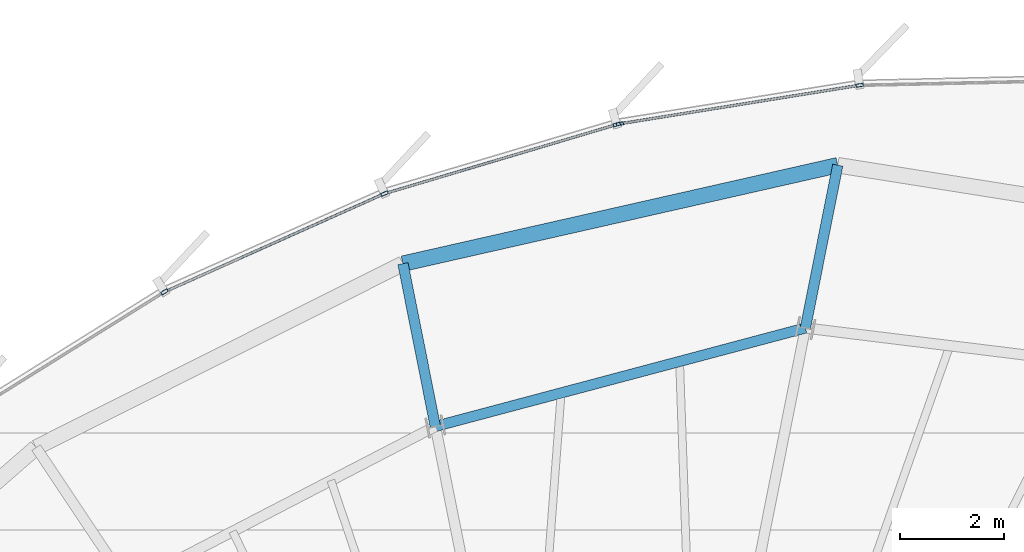
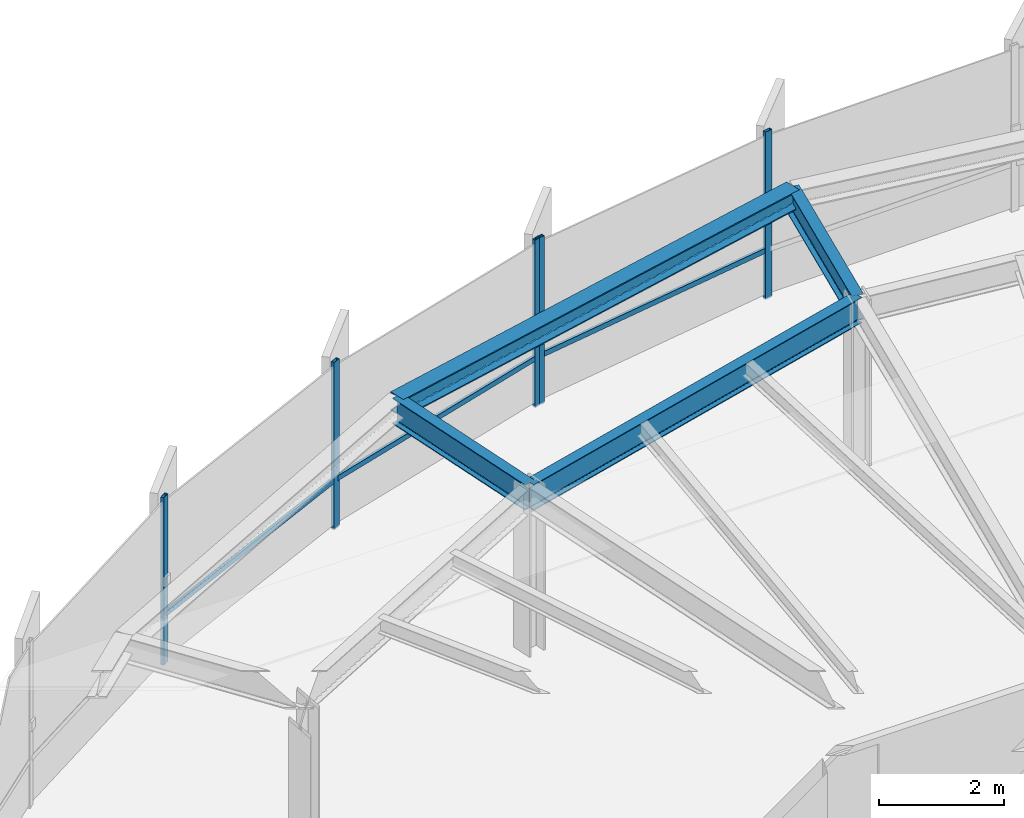
# One storey, part 23 of 35: 8 members, 4 beams, 2 elements without a shape of their own.
"""IFC4 building model written with IfcOpenShell, lengths in metres."""

from ifc_helpers import new_model, si_unit, direction, frame, origin, origin_2d, place, context, subcontext, project, spatial, hollow_rectangle, i_section, extrude, source, transform, mapped, material, layer, layer_set, material_profile, profile_set, type_object, element, aggregate, save


model = new_model("IFC4")

# Units and contexts
model_context = context("Model", 3, precision=1e-05, world=origin(), true_north=direction((0.0, 1.0)))
body_context = subcontext(model_context, "Body", "Model", "MODEL_VIEW")
ifc_project = project(units=[si_unit("LENGTHUNIT", "METRE"), si_unit("AREAUNIT", "SQUARE_METRE"), si_unit("VOLUMEUNIT", "CUBIC_METRE"), si_unit("PLANEANGLEUNIT", "RADIAN"), si_unit("MASSUNIT", "GRAM", prefix="KILO"), si_unit("THERMODYNAMICTEMPERATUREUNIT", "KELVIN")], contexts=[model_context])

# Site, building, storey
site_placement = place(None, origin())
site = spatial("IfcSite", under=ifc_project, at=site_placement, CompositionType="ELEMENT")
building_placement = place(site_placement, origin())
building = spatial("IfcBuilding", under=site, at=building_placement, Name="Kethvar Cultural Tower", CompositionType="ELEMENT")
storey_placement = place(building_placement, frame((0.0, 0.0, 179.89990234375)))
storey = spatial("IfcBuildingStorey", under=building, at=storey_placement, Name="L46", CompositionType="ELEMENT", Elevation=179.89990234375)

# Beams
ifc_material_1 = material(Name="Steel S355J2", Category="steel")
ifc_material_profile_1 = material_profile(ifc_material_1, i_section(OverallWidth=0.199951171875, OverallDepth=0.5, WebThickness=0.01025390625, FlangeThickness=0.01611328125, FilletRadius=0.02099609375, at=origin_2d()), Name="Steel S355J2 — IPE500")
ifc_profile_set_1 = profile_set([ifc_material_profile_1], Name="Steel S355J2 — IPE500")
beam_type_1 = type_object("IfcBeamType", Name="BM-IPE500", PredefinedType="BEAM", material=ifc_profile_set_1)
shared_shape_1 = source(origin(), body_context, "Body", "SweptSolid", [
    extrude(i_section(OverallWidth=0.199951171875, OverallDepth=0.5, WebThickness=0.01025390625, FlangeThickness=0.01611328125, FilletRadius=0.02099609375, at=origin_2d()), origin(), (0.0, 0.0, 1.0), 3.199951171875),
])
for number, where, z_axis, x_axis, name in (
    (1, (50.556884765625, 46.6875, 3.008056640625), (0.195088965533, 0.980785550224, 0.0), (-0.980785550224, 0.195088965533, 0.0), "L46 Perimeter Cantilever Beam RC-04"),
    (2, (43.420654296875, 44.789306640625, 3.008056640625), (-0.195088965533, 0.980785550224, 0.0), (-0.980785550224, -0.195088965533, 0.0), "L46 Perimeter Cantilever Beam RC-05"),
):
    element("IfcBeam", number, at=place(storey_placement, frame(where, z_axis=z_axis, x_axis=x_axis)), inside=storey, type_object=beam_type_1, Name=name, PredefinedType="BEAM", context=body_context, shape_type="MappedRepresentation", body=[
        mapped(shared_shape_1, transform((0.0, 0.0, 0.0), scale=1.0)),
    ])
shared_shape_2 = source(origin(), body_context, "Body", "SweptSolid", [
    extrude(i_section(OverallWidth=0.199951171875, OverallDepth=0.5, WebThickness=0.01025390625, FlangeThickness=0.01611328125, FilletRadius=0.02099609375, at=origin_2d()), origin(), (0.0, 0.0, 1.0), 7.38427734375),
])
beam_1_placement = place(storey_placement, frame((50.556884765625, 46.6875, 3.008056640625), z_axis=(-0.966396628298, -0.257055552002, 0.0), x_axis=(0.257055552002, -0.966396628298, 0.0)))
element("IfcBeam", 3, at=beam_1_placement, inside=storey, type_object=beam_type_1, Name="L46 Column Ring Tie Beam CR-04", PredefinedType="BEAM", context=body_context, shape_type="MappedRepresentation", body=[
    mapped(shared_shape_2, transform((0.0, 0.0, 0.0), scale=1.0)),
])
ifc_material_profile_2 = material_profile(ifc_material_1, i_section(OverallWidth=0.300048828125, OverallDepth=0.360107421875, WebThickness=0.012451171875, FlangeThickness=0.0224609375, FilletRadius=0.027099609375, at=origin_2d()), Name="Steel S355J2 — HEB360")
ifc_profile_set_2 = profile_set([ifc_material_profile_2], Name="Steel S355J2 — HEB360")
beam_type_2 = type_object("IfcBeamType", Name="BM-SP360", PredefinedType="SPANDREL", material=ifc_profile_set_2)
shared_shape_3 = source(origin(), body_context, "Body", "SweptSolid", [
    extrude(i_section(OverallWidth=0.300048828125, OverallDepth=0.360107421875, WebThickness=0.012451171875, FlangeThickness=0.0224609375, FilletRadius=0.027099609375, at=origin_2d()), origin(), (0.0, 0.0, 1.0), 8.596923828125),
])
beam_2_placement = place(storey_placement, frame((51.18115234375, 49.825927734375, 3.078125), z_axis=(-0.975319414912, -0.2207986388, 0.0), x_axis=(0.2207986388, -0.975319414912, 0.0)))
element("IfcBeam", 4, at=beam_2_placement, inside=storey, type_object=beam_type_2, Name="L46 Perimeter Spandrel Beam SP-04", PredefinedType="SPANDREL", context=body_context, shape_type="MappedRepresentation", body=[
    mapped(shared_shape_3, transform((0.0, 0.0, 0.0), scale=1.0)),
])

# Curtain wall, members
ifc_material_2 = material(Name="Aluminium 6063-T6", Category="aluminium")
ifc_layer = layer(ifc_material_2, 0.179931640625, Name="Aluminium 6063-T6", Category="aluminium")
ifc_layer_set = layer_set([ifc_layer], Name="Aluminium 6063-T6 (180 mm)")
curtain_wall_type = type_object("IfcCurtainWallType", Name="CW-SYS-04-Z34", PredefinedType="NOTDEFINED", material=ifc_layer_set)
curtain_wall_1_placement = place(storey_placement, origin())
curtain_wall_1 = element("IfcCurtainWall", 5, at=curtain_wall_1_placement, inside=storey, type_object=curtain_wall_type, Name="L46 Curtain Wall Run 01", PredefinedType="NOTDEFINED")
ifc_material_profile_3 = material_profile(ifc_material_2, hollow_rectangle(XDim=0.06005859375, YDim=0.139892578125, WallThickness=0.0048828125, at=origin_2d()), Name="Aluminium 6063-T6 — RHS140x60x5")
ifc_profile_set_3 = profile_set([ifc_material_profile_3], Name="Aluminium 6063-T6 — RHS140x60x5")
member_type_1 = type_object("IfcMemberType", Name="CW-SYS-04-Z34-MUL", PredefinedType="MULLION", material=ifc_profile_set_3)
shared_shape_4 = source(origin(), body_context, "Body", "SweptSolid", [
    extrude(hollow_rectangle(XDim=0.06005859375, YDim=0.139892578125, WallThickness=0.0048828125, at=origin_2d()), origin(), (0.0, 0.0, 1.0), 3.260009765625),
])
member_1_placement = place(storey_placement, frame((51.602294921875, 51.368408203125, 0.0), z_axis=(0.0, 0.0, 1.0), x_axis=(0.158709518463, -0.987325320626, 0.0)))
member_1 = element("IfcMember", 6, at=member_1_placement, type_object=member_type_1, Name="CW-L46-R01 Mullion 6", PredefinedType="MULLION", context=body_context, shape_type="MappedRepresentation", body=[
    mapped(shared_shape_4, transform((0.0, 0.0, 0.0), scale=1.0)),
])
member_2_placement = place(storey_placement, frame((46.98095703125, 50.62548828125, 0.0), z_axis=(0.0, 0.0, 1.0), x_axis=(0.158709518463, -0.987325320626, 0.0)))
member_2 = element("IfcMember", 7, at=member_2_placement, type_object=member_type_1, Name="CW-L46-R01 Mullion 7", PredefinedType="MULLION", context=body_context, shape_type="MappedRepresentation", body=[
    mapped(shared_shape_4, transform((0.0, 0.0, 0.0), scale=1.0)),
])

curtain_wall_2_placement = place(storey_placement, origin())
curtain_wall_2 = element("IfcCurtainWall", 8, at=curtain_wall_2_placement, inside=storey, type_object=curtain_wall_type, Name="L46 Curtain Wall Run 02", PredefinedType="NOTDEFINED")
member_3_placement = place(storey_placement, frame((46.9189453125, 50.611328125, 0.0), z_axis=(0.0, 0.0, 1.0), x_axis=(0.285370559902, -0.958417259622, 0.0)))
member_3 = element("IfcMember", 9, at=member_3_placement, type_object=member_type_1, Name="CW-L46-R02 Mullion 1", PredefinedType="MULLION", context=body_context, shape_type="MappedRepresentation", body=[
    mapped(shared_shape_4, transform((0.0, 0.0, 0.0), scale=1.0)),
])
member_4_placement = place(storey_placement, frame((42.439453125, 49.278564453125, 0.0), z_axis=(0.0, 0.0, 1.0), x_axis=(0.408059599059, -0.912955291137, 0.0)))
member_4 = element("IfcMember", 10, at=member_4_placement, type_object=member_type_1, Name="CW-L46-R02 Mullion 2", PredefinedType="MULLION", context=body_context, shape_type="MappedRepresentation", body=[
    mapped(shared_shape_4, transform((0.0, 0.0, 0.0), scale=1.0)),
])
member_5_placement = place(storey_placement, frame((38.197509765625, 47.3837890625, 0.0), z_axis=(0.0, 0.0, 1.0), x_axis=(0.528927219636, -0.8486671882, 0.0)))
member_5 = element("IfcMember", 11, at=member_5_placement, type_object=member_type_1, Name="CW-L46-R02 Mullion 3", PredefinedType="MULLION", context=body_context, shape_type="MappedRepresentation", body=[
    mapped(shared_shape_4, transform((0.0, 0.0, 0.0), scale=1.0)),
])

# Member
ifc_material_profile_4 = material_profile(ifc_material_2, hollow_rectangle(XDim=0.050048828125, YDim=0.10009765625, WallThickness=0.00390625, at=origin_2d()), Name="Aluminium 6063-T6 — RHS100x50x4")
ifc_profile_set_4 = profile_set([ifc_material_profile_4], Name="Aluminium 6063-T6 — RHS100x50x4")
member_type_2 = type_object("IfcMemberType", Name="CW-SYS-04-Z34-TRN", PredefinedType="USERDEFINED", material=ifc_profile_set_4)
shared_shape_5 = source(origin(), body_context, "Body", "SweptSolid", [
    extrude(hollow_rectangle(XDim=0.050048828125, YDim=0.10009765625, WallThickness=0.00390625, at=origin_2d()), origin(), (0.0, 0.0, 1.0), 4.63330078125),
])
member_6_placement = place(storey_placement, frame((51.5595703125, 51.361572265625, 0.9501953125), z_axis=(-0.987324621315, -0.158713868784, 0.0), x_axis=(0.158713868784, -0.987324621315, 0.0)))
member_6 = element("IfcMember", 12, at=member_6_placement, type_object=member_type_2, Name="CW-L46-R01 Transom 6", ObjectType="TRANSOM", PredefinedType="USERDEFINED", context=body_context, shape_type="MappedRepresentation", body=[
    mapped(shared_shape_5, transform((0.0, 0.0, 0.0), scale=1.0)),
])

aggregate(curtain_wall_1, [member_1, member_2, member_6])

shared_shape_6 = source(origin(), body_context, "Body", "SweptSolid", [
    extrude(hollow_rectangle(XDim=0.050048828125, YDim=0.10009765625, WallThickness=0.00390625, at=origin_2d()), origin(), (0.0, 0.0, 1.0), 4.640380859375),
])
member_7_placement = place(storey_placement, frame((46.914794921875, 50.610107421875, 0.9501953125), z_axis=(-0.958419365622, -0.285363486805, 0.0), x_axis=(0.285363486805, -0.958419365622, 0.0)))
member_7 = element("IfcMember", 13, at=member_7_placement, type_object=member_type_2, Name="CW-L46-R02 Transom 1", ObjectType="TRANSOM", PredefinedType="USERDEFINED", context=body_context, shape_type="MappedRepresentation", body=[
    mapped(shared_shape_6, transform((0.0, 0.0, 0.0), scale=1.0)),
])

shared_shape_7 = source(origin(), body_context, "Body", "SweptSolid", [
    extrude(hollow_rectangle(XDim=0.050048828125, YDim=0.10009765625, WallThickness=0.00390625, at=origin_2d()), origin(), (0.0, 0.0, 1.0), 4.574462890625),
])
member_8_placement = place(storey_placement, frame((42.39990234375, 49.260986328125, 0.9501953125), z_axis=(-0.912951182528, -0.408068791162, 0.0), x_axis=(0.408068791162, -0.912951182528, 0.0)))
member_8 = element("IfcMember", 14, at=member_8_placement, type_object=member_type_2, Name="CW-L46-R02 Transom 2", ObjectType="TRANSOM", PredefinedType="USERDEFINED", context=body_context, shape_type="MappedRepresentation", body=[
    mapped(shared_shape_7, transform((0.0, 0.0, 0.0), scale=1.0)),
])

aggregate(curtain_wall_2, [member_3, member_4, member_5, member_7, member_8])

save(model, "model.ifc")
